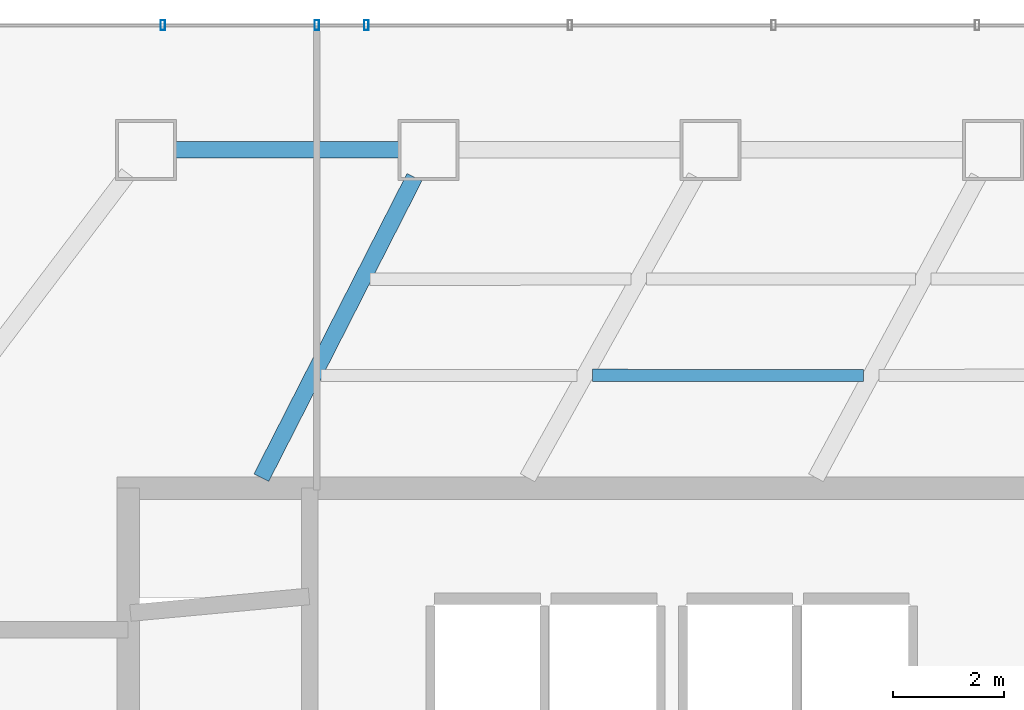
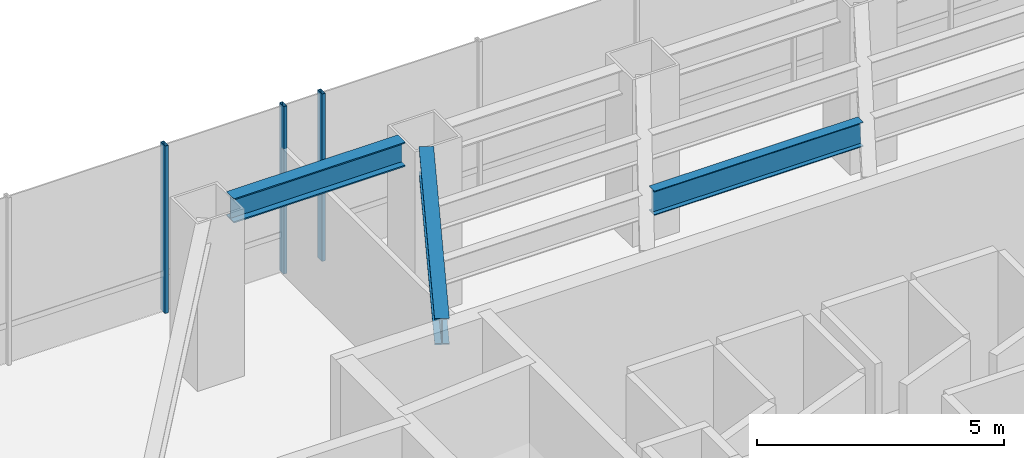
# One storey, part 20 of 37: 3 beams, 3 members, 1 element without a shape of its own.
"""IFC4 building model written with IfcOpenShell, lengths in metres."""

from ifc_helpers import new_model, si_unit, direction, frame, origin, origin_2d, place, context, subcontext, project, spatial, hollow_rectangle, i_section, extrude, material, layer, layer_set, material_profile, profile_set, type_object, element, aggregate, save


model = new_model("IFC4")

# Units and contexts
model_context = context("Model", 3, precision=1e-05, world=origin(), true_north=direction((0.0, 1.0)))
body_context = subcontext(model_context, "Body", "Model", "MODEL_VIEW")
ifc_project = project(units=[si_unit("LENGTHUNIT", "METRE"), si_unit("AREAUNIT", "SQUARE_METRE"), si_unit("VOLUMEUNIT", "CUBIC_METRE"), si_unit("PLANEANGLEUNIT", "RADIAN"), si_unit("MASSUNIT", "GRAM", prefix="KILO")], contexts=[model_context])

# Site, building, storey
site_placement = place(None, origin())
site = spatial("IfcSite", under=ifc_project, at=site_placement, CompositionType="ELEMENT")
building_placement = place(site_placement, origin())
building = spatial("IfcBuilding", under=site, at=building_placement, Name="Zarrinselat Tower", CompositionType="ELEMENT")
storey_placement = place(building_placement, frame((0.0, 0.0, 13.93994140625)))
storey = spatial("IfcBuildingStorey", under=building, at=storey_placement, Name="L03", CompositionType="ELEMENT", Elevation=13.93994140625)

# Beams
ifc_material_1 = material(Name="Steel S355J2", Category="steel")
ifc_material_profile_1 = material_profile(ifc_material_1, i_section(OverallWidth=0.300048828125, OverallDepth=0.60009765625, WebThickness=0.015380859375, FlangeThickness=0.030029296875, at=origin_2d()), Name="HEB 600")
ifc_profile_set_1 = profile_set([ifc_material_profile_1], Name="Steel S355J2")
beam_type_1 = type_object("IfcBeamType", Name="BM-HEB600", PredefinedType="BEAM", material=ifc_profile_set_1)
beam_1_placement = place(storey_placement, frame((29.4609375, 49.550048828125, 3.840087890625), z_axis=(1.0, 0.0, 0.0), x_axis=(0.0, 1.0, 0.0)))
element("IfcBeam", 1, at=beam_1_placement, inside=storey, type_object=beam_type_1, Name="L03 Perimeter Spandrel Girder SP04", PredefinedType="BEAM", context=body_context, shape_type="SweptSolid", body=[
    extrude(i_section(OverallWidth=0.300048828125, OverallDepth=0.60009765625, WebThickness=0.015380859375, FlangeThickness=0.030029296875, at=origin_2d()), origin(), (0.0, 0.0, 1.0), 4.012451171875),
])
ifc_material_2 = material(Name="Steel S355J2", Category="steel")
ifc_material_profile_2 = material_profile(ifc_material_2, i_section(OverallWidth=0.300048828125, OverallDepth=0.64990234375, WebThickness=0.01611328125, FlangeThickness=0.031005859375, at=origin_2d()), Name="HEB 650")
ifc_profile_set_2 = profile_set([ifc_material_profile_2], Name="Steel S355J2")
beam_type_2 = type_object("IfcBeamType", Name="BM-HEB650", PredefinedType="BEAM", material=ifc_profile_set_2)
beam_2_placement = place(storey_placement, frame((31.0, 43.639892578125, 3.81494140625), z_axis=(0.454025613445, 0.89098863199, 0.0), x_axis=(-0.89098863199, 0.454025613445, 0.0)))
element("IfcBeam", 2, at=beam_2_placement, inside=storey, type_object=beam_type_2, Name="L03 Radial Primary Girder RG04", PredefinedType="BEAM", context=body_context, shape_type="SweptSolid", body=[
    extrude(i_section(OverallWidth=0.300048828125, OverallDepth=0.64990234375, WebThickness=0.01611328125, FlangeThickness=0.031005859375, at=origin_2d()), origin(), (0.0, 0.0, 1.0), 6.0810546875),
])
ifc_material_3 = material(Name="Steel S355J2", Category="steel")
ifc_material_profile_3 = material_profile(ifc_material_3, i_section(OverallWidth=0.219970703125, OverallDepth=0.60009765625, WebThickness=0.011962890625, FlangeThickness=0.01904296875, at=origin_2d()), Name="IPE 600")
ifc_profile_set_3 = profile_set([ifc_material_profile_3], Name="Steel S355J2")
beam_type_3 = type_object("IfcBeamType", Name="BM-IPE600", PredefinedType="JOIST", material=ifc_profile_set_3)
beam_3_placement = place(storey_placement, frame((36.970458984375, 45.485595703125, 3.840087890625), z_axis=(0.999999968772, -0.000249912523, 0.0), x_axis=(0.000249912523, 0.999999968772, 0.0)))
element("IfcBeam", 3, at=beam_3_placement, inside=storey, type_object=beam_type_3, Name="L03 Composite Floor Joist 8-2", PredefinedType="JOIST", context=body_context, shape_type="SweptSolid", body=[
    extrude(i_section(OverallWidth=0.219970703125, OverallDepth=0.60009765625, WebThickness=0.011962890625, FlangeThickness=0.01904296875, at=origin_2d()), origin(), (0.0, 0.0, 1.0), 4.884521484375),
])

# Curtain wall, members
ifc_material_4 = material(Name="Extruded Aluminium Alloy EN AW-6063 T6", Category="aluminium")
ifc_layer = layer(ifc_material_4, 0.2099609375)
ifc_layer_set = layer_set([ifc_layer], Name="Extruded Aluminium Alloy EN AW-6063 T6")
curtain_wall_type = type_object("IfcCurtainWallType", Name="CWS-POD", PredefinedType="NOTDEFINED", material=ifc_layer_set)
curtain_wall_placement = place(storey_placement, origin())
curtain_wall = element("IfcCurtainWall", 4, at=curtain_wall_placement, inside=storey, type_object=curtain_wall_type, Name="L03 Unitised Curtain Wall CW-L03-F5", PredefinedType="NOTDEFINED")
ifc_material_5 = material(Name="Extruded Aluminium Alloy EN AW-6063 T6", Category="aluminium")
ifc_material_profile_4 = material_profile(ifc_material_5, hollow_rectangle(XDim=0.080078125, YDim=0.179931640625, WallThickness=0.0048828125, at=origin_2d()), Name="RHS 180x80x5")
ifc_profile_set_4 = profile_set([ifc_material_profile_4], Name="Extruded Aluminium Alloy EN AW-6063 T6")
member_type = type_object("IfcMemberType", Name="MEM-CW-MUL", PredefinedType="MULLION", material=ifc_profile_set_4)
member_1_placement = place(storey_placement, frame((32.89404296875, 51.800048828125, 0.0), z_axis=(0.0, 0.0, 1.0), x_axis=(-1.0, 0.0, 0.0)))
member_1 = element("IfcMember", 5, at=member_1_placement, type_object=member_type, Name="CW-L03-F5 Mullion 10", PredefinedType="MULLION", context=body_context, shape_type="SweptSolid", body=[
    extrude(hollow_rectangle(XDim=0.080078125, YDim=0.179931640625, WallThickness=0.0048828125, at=origin_2d()), origin(), (0.0, 0.0, 1.0), 4.14013671875),
])
member_2_placement = place(storey_placement, frame((32.0, 51.800048828125, 0.0), z_axis=(0.0, 0.0, 1.0), x_axis=(-1.0, 0.0, 0.0)))
member_2 = element("IfcMember", 6, at=member_2_placement, type_object=member_type, Name="CW-L03-F5 Mullion 11", PredefinedType="MULLION", context=body_context, shape_type="SweptSolid", body=[
    extrude(hollow_rectangle(XDim=0.080078125, YDim=0.179931640625, WallThickness=0.0048828125, at=origin_2d()), origin(), (0.0, 0.0, 1.0), 4.14013671875),
])
member_3_placement = place(storey_placement, frame((29.223388671875, 51.800048828125, 0.0), z_axis=(0.0, 0.0, 1.0), x_axis=(-1.0, 0.0, 0.0)))
member_3 = element("IfcMember", 7, at=member_3_placement, type_object=member_type, Name="CW-L03-F5 Mullion 12", PredefinedType="MULLION", context=body_context, shape_type="SweptSolid", body=[
    extrude(hollow_rectangle(XDim=0.080078125, YDim=0.179931640625, WallThickness=0.0048828125, at=origin_2d()), origin(), (0.0, 0.0, 1.0), 4.14013671875),
])
aggregate(curtain_wall, [member_1, member_2, member_3])

save(model, "model.ifc")
